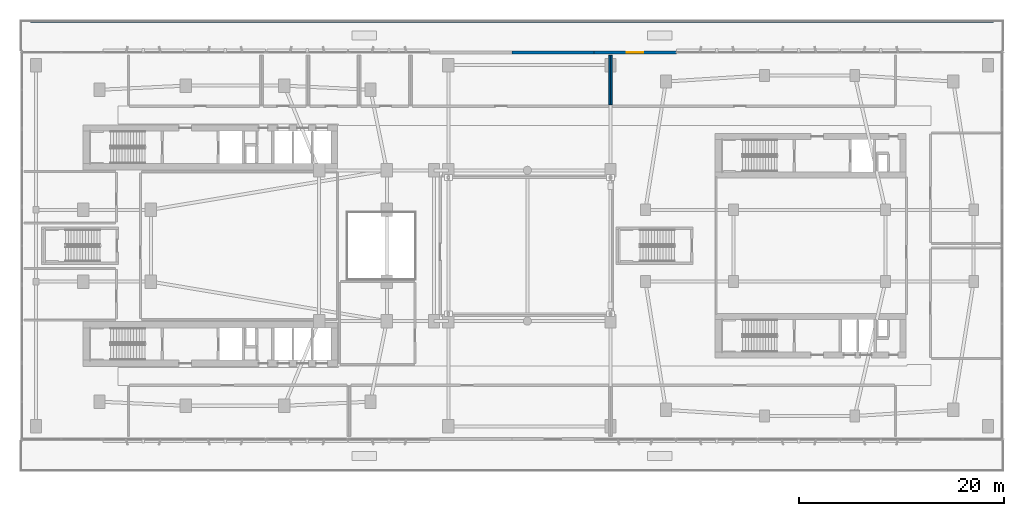
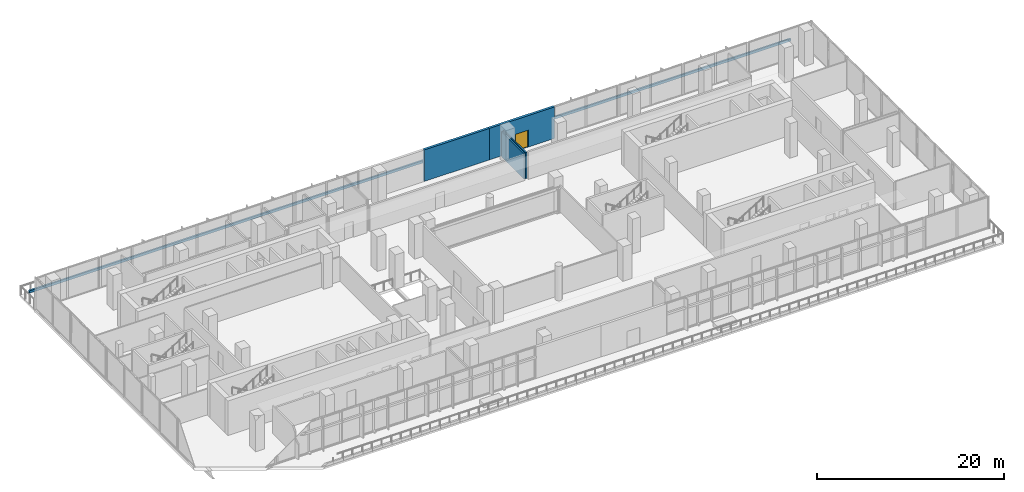
# One storey, part 16 of 31: 5 walls, 1 door, 1 opening.
"""IFC4 building model written with IfcOpenShell, lengths in metres."""

from ifc_helpers import new_model, si_unit, derived_unit, direction, frame, frame_2d, origin, place, context, subcontext, project, spatial, rectangle, extrude, material, layer, layer_set, type_object, element, fill, save


model = new_model("IFC4")

# Units and contexts
model_context = context("Model", 3, precision=1e-05, world=origin(), true_north=direction((0.0, 1.0)))
body_context = subcontext(model_context, "Body", "Model", "MODEL_VIEW")
ifc_project = project(units=[si_unit("LENGTHUNIT", "METRE"), si_unit("AREAUNIT", "SQUARE_METRE"), si_unit("VOLUMEUNIT", "CUBIC_METRE"), si_unit("PLANEANGLEUNIT", "RADIAN"), si_unit("MASSUNIT", "GRAM", prefix="KILO"), derived_unit("THERMALTRANSMITTANCEUNIT", [(si_unit("POWERUNIT", "WATT"), 1), (si_unit("LENGTHUNIT", "METRE"), -2), (si_unit("THERMODYNAMICTEMPERATUREUNIT", "KELVIN"), -1)])], contexts=[model_context])

# Site, building, storey
site_placement = place(None, origin())
site = spatial("IfcSite", under=ifc_project, at=site_placement, CompositionType="ELEMENT")
building_placement = place(site_placement, origin())
building = spatial("IfcBuilding", under=site, at=building_placement, Name="Kivonza Crest Hotel", CompositionType="ELEMENT")
storey_placement = place(building_placement, frame((0.0, 0.0, 15.0)))
storey = spatial("IfcBuildingStorey", under=building, at=storey_placement, Name="L03", CompositionType="ELEMENT", Elevation=15.0)

# Wall, opening, door
ifc_material_1 = material(Name="Precast concrete C40/50", Category="concrete")
ifc_layer_1 = layer(ifc_material_1, 0.300048828125)
ifc_layer_set_1 = layer_set([ifc_layer_1], Name="Precast concrete C40/50")
wall_type_1 = type_object("IfcWallType", Name="WL-EXT-300", PredefinedType="STANDARD", material=ifc_layer_set_1)
wall_1_placement = place(storey_placement, frame((64.028076171875, 43.85009765625, 0.0), z_axis=(0.0, 0.0, 1.0), x_axis=(-1.0, 0.0, 0.0)))
wall_1 = element("IfcWall", 1, at=wall_1_placement, inside=storey, type_object=wall_type_1, Name="L03 POD exterior insulated wall 22", PredefinedType="STANDARD", context=body_context, shape_type="SweptSolid", body=[
    extrude(rectangle(XDim=8.049072265625, YDim=0.300048828125, at=frame_2d((4.0244140625, 0.0))), origin(), (0.0, 0.0, 1.0), 4.10009765625),
])
opening_placement = place(wall_1_placement, frame((3.22802734375, 0.0, 0.0)))
opening = element("IfcOpeningElement", 2, at=opening_placement, cuts=wall_1, Name="Opening DT-160", PredefinedType="OPENING", context=body_context, shape_type="SweptSolid", body=[
    extrude(rectangle(XDim=1.60009765625, YDim=2.199951171875, at=frame_2d((0.800048828125, 1.10009765625))), frame((0.0, 0.16015625, 0.0), z_axis=(0.0, -1.0, 0.0), x_axis=(1.0, 0.0, 0.0)), (0.0, 0.0, 1.0), 0.320068359375),
])
ifc_material_2 = material(Name="Anodised bronze aluminium and laminated safety glass", Category="aluminium")
door_type = type_object("IfcDoorType", Name="DR-TERR-1600", OperationType="NOTDEFINED", PredefinedType="DOOR", material=ifc_material_2)
door_placement = place(opening_placement, frame((1.60009765625, 0.0, 0.0), z_axis=(0.0, 0.0, 1.0), x_axis=(-1.0, 0.0, 0.0)))
door = element("IfcDoor", 3, at=door_placement, inside=storey, type_object=door_type, Name="L03 North stepped terrace access door", OperationType="DOUBLE_DOOR_SINGLE_SWING", OverallHeight=2.199951171875, OverallWidth=1.60009765625, PredefinedType="DOOR", context=body_context, shape_type="SweptSolid", body=[
    extrude(rectangle(XDim=1.60009765625, YDim=2.199951171875, at=frame_2d((0.800048828125, 1.10009765625))), frame((0.0, 0.02490234375, 0.0), z_axis=(0.0, -1.0, 0.0), x_axis=(1.0, 0.0, 0.0)), (0.0, 0.0, 1.0), 0.050048828125),
])
fill(opening, door)

# Walls
wall_2_placement = place(storey_placement, frame((55.9951171875, 43.85009765625, 0.0), z_axis=(0.0, 0.0, 1.0), x_axis=(-1.0, 0.0, 0.0)))
element("IfcWall", 4, at=wall_2_placement, inside=storey, type_object=wall_type_1, Name="L03 POD exterior insulated wall 23", PredefinedType="STANDARD", context=body_context, shape_type="SweptSolid", body=[
    extrude(rectangle(XDim=8.003173828125, YDim=0.300048828125, at=frame_2d((4.00146484375, 0.0))), origin(), (0.0, 0.0, 1.0), 4.10009765625),
])
ifc_layer_2 = layer(ifc_material_1, 0.199951171875)
ifc_layer_set_2 = layer_set([ifc_layer_2], Name="Precast concrete C40/50")
wall_type_2 = type_object("IfcWallType", Name="WL-PARAPET-200", PredefinedType="PARAPET", material=ifc_layer_set_2)
wall_3_placement = place(storey_placement, frame((1.080078125, 46.85009765625, 0.0), z_axis=(0.0, 0.0, 1.0), x_axis=(1.0, 0.0, 0.0)))
element("IfcWall", 5, at=wall_3_placement, inside=storey, type_object=wall_type_2, Name="L03 podium terrace edge parapet kerb 2", PredefinedType="PARAPET", context=body_context, shape_type="SweptSolid", body=[
    extrude(rectangle(XDim=93.83984375, YDim=0.199951171875, at=frame_2d((46.919921875, 0.0))), origin(), (0.0, 0.0, 1.0), 0.320068359375),
])
ifc_material_3 = material(Name="Twin-stud acoustic gypsum board partition", Category="gypsum")
ifc_layer_3 = layer(ifc_material_3, 0.14990234375)
ifc_layer_set_3 = layer_set([ifc_layer_3], Name="Twin-stud acoustic gypsum board partition")
wall_type_3 = type_object("IfcWallType", Name="WL-PART-150", PredefinedType="PARTITIONING", material=ifc_layer_set_3)
wall_4_placement = place(storey_placement, frame((57.5, 38.75, 0.0), z_axis=(0.0, 0.0, 1.0), x_axis=(0.0, 1.0, 0.0)))
element("IfcWall", 6, at=wall_4_placement, inside=storey, type_object=wall_type_3, Name="L03 interior partition WP-L03-NTH-CNF1-BE", PredefinedType="PARTITIONING", context=body_context, shape_type="SweptSolid", body=[
    extrude(rectangle(XDim=4.800048828125, YDim=0.14990234375, at=frame_2d((2.39990234375, 0.0))), origin(), (0.0, 0.0, 1.0), 3.27490234375),
])
wall_5_placement = place(storey_placement, frame((57.699951171875, 38.75, 0.0), z_axis=(0.0, 0.0, 1.0), x_axis=(0.0, 1.0, 0.0)))
element("IfcWall", 7, at=wall_5_placement, inside=storey, type_object=wall_type_3, Name="L03 interior partition WP-L03-NTH-CNF2-BW", PredefinedType="PARTITIONING", context=body_context, shape_type="SweptSolid", body=[
    extrude(rectangle(XDim=4.800048828125, YDim=0.14990234375, at=frame_2d((2.39990234375, 0.0))), origin(), (0.0, 0.0, 1.0), 3.375),
])

save(model, "model.ifc")
